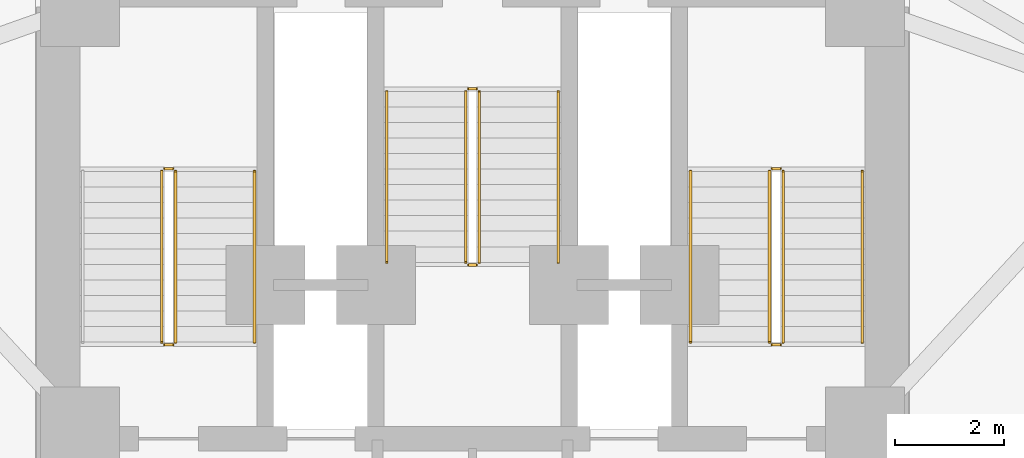
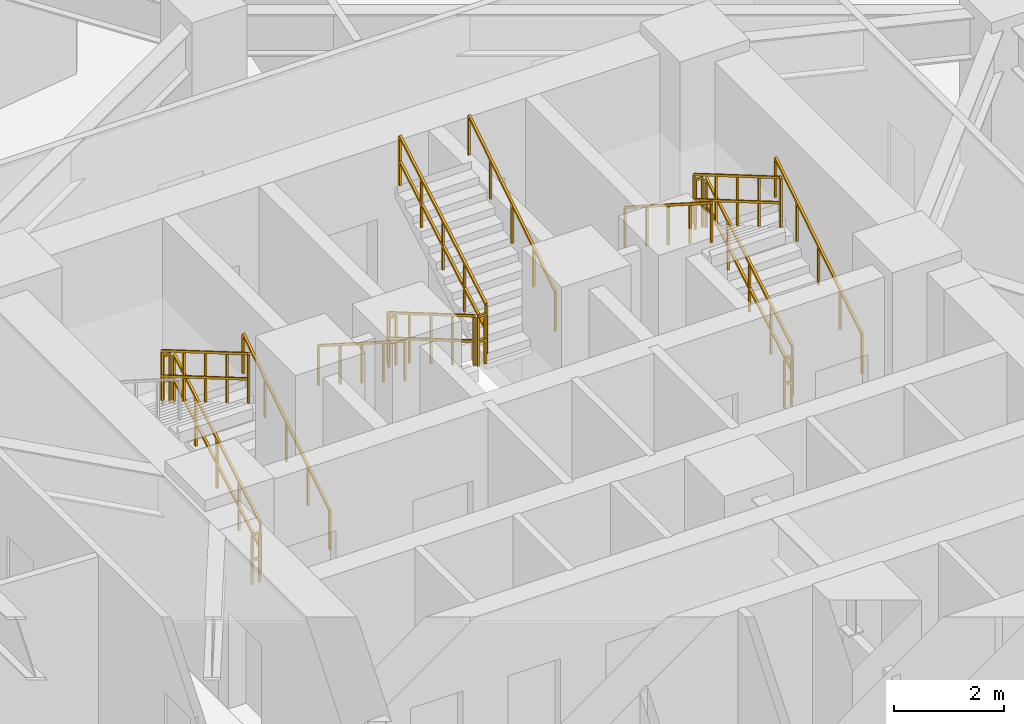
# One storey, part 12 of 13: 17 railings.
"""IFC4 building model written with IfcOpenShell, lengths in metres."""

import ifcopenshell
import ifcopenshell.guid

model = None  # the IFC model being written
_history = None  # IfcOwnerHistory: only IFC2X3 demands one
_inside = {}  # id of a spatial element -> (the spatial element, [elements in it])
_under = {}  # id of a project, library or spatial element -> (it, [spatial elements below it])
_declared = {}  # id of a project -> (the project, [libraries it declares])
_typed = {}  # id of a type object -> (the type object, [elements of that type])
_made_of = {}  # id of a material, layer set ... -> (it, [elements and type objects made of it])


def new_model(schema):
    """Start an empty IFC model of exactly this schema.

    Asked for "IFC4X3", IfcOpenShell would pick the latest addendum, in which some entities
    have other attributes; the version numbers below select the first issue.
    IFC2X3 requires an IfcOwnerHistory on every rooted entity: one is made here for all.
    """
    global model, _history
    if schema == "IFC4X3":
        model = ifcopenshell.file(schema_version=(4, 3, 0, 0))
    else:
        model = ifcopenshell.file(schema=schema)
    _inside.clear()
    _under.clear()
    _declared.clear()
    _typed.clear()
    _made_of.clear()
    _history = None
    if model.schema == "IFC2X3":
        org = make("IfcOrganization", Name="unknown")
        user = make(
            "IfcPersonAndOrganization",
            ThePerson=make("IfcPerson", FamilyName="unknown"),
            TheOrganization=org,
        )
        app = make(
            "IfcApplication",
            ApplicationDeveloper=org,
            Version="unknown",
            ApplicationFullName="unknown",
            ApplicationIdentifier="unknown",
        )
        _history = make(
            "IfcOwnerHistory",
            OwningUser=user,
            OwningApplication=app,
            ChangeAction="ADDED",
            CreationDate=0,
        )
    return model


def make(cls, **values):
    """One entity of the class cls with the attributes given. An attribute that is None is left unset."""
    return model.create_entity(
        cls, **{name: value for name, value in values.items() if value is not None}
    )


def rooted(cls, **values):
    """An entity with a GlobalId (a new one), such as an element, a storey or a relation."""
    return make(cls, GlobalId=ifcopenshell.guid.new(), OwnerHistory=_history, **values)


def si_unit(unit_type, name, prefix=None):
    """IfcSIUnit, for example si_unit("LENGTHUNIT", "METRE", prefix="MILLI")."""
    return make("IfcSIUnit", UnitType=unit_type, Prefix=prefix, Name=name)


def assignment(units):
    """IfcUnitAssignment: the units of a project."""
    return None if units is None else make("IfcUnitAssignment", Units=units)


def point(xyz):
    """IfcCartesianPoint."""
    return None if xyz is None else make("IfcCartesianPoint", Coordinates=xyz)


def direction(xyz):
    """IfcDirection."""
    return None if xyz is None else make("IfcDirection", DirectionRatios=xyz)


def frame(location, z_axis=None, x_axis=None):
    """IfcAxis2Placement3D, a coordinate frame: its origin and axes. An axis left out is left unset."""
    return make(
        "IfcAxis2Placement3D",
        Location=point(location),
        Axis=direction(z_axis),
        RefDirection=direction(x_axis),
    )


def frame_2d(location, x_axis=None):
    """IfcAxis2Placement2D, a coordinate frame in the plane: its origin and x axis."""
    return make(
        "IfcAxis2Placement2D", Location=point(location), RefDirection=direction(x_axis)
    )


def origin():
    """The frame at (0, 0, 0) with its axes left unset."""
    return frame((0.0, 0.0, 0.0))


def origin_2d():
    """The frame at (0, 0) in the plane with its x axis left unset."""
    return frame_2d((0.0, 0.0))


def place(relative_to, where):
    """IfcLocalPlacement: puts the frame where relative to a parent placement (None: the world)."""
    return make(
        "IfcLocalPlacement", PlacementRelTo=relative_to, RelativePlacement=where
    )


def context(
    kind, dimensions, precision=None, world=None, true_north=None, identifier=None
):
    """IfcGeometricRepresentationContext, for example the 3D "Model" context."""
    return make(
        "IfcGeometricRepresentationContext",
        ContextIdentifier=identifier,
        ContextType=kind,
        CoordinateSpaceDimension=dimensions,
        Precision=precision,
        WorldCoordinateSystem=world,
        TrueNorth=true_north,
    )


def subcontext(parent, identifier, kind, view, scale=None):
    """IfcGeometricRepresentationSubContext, for example "Body" below "Model"."""
    return make(
        "IfcGeometricRepresentationSubContext",
        ContextIdentifier=identifier,
        ContextType=kind,
        ParentContext=parent,
        TargetScale=scale,
        TargetView=view,
    )


def project(units=None, contexts=None):
    """IfcProject with its units and contexts."""
    return rooted(
        "IfcProject",
        Name="project",
        RepresentationContexts=contexts,
        UnitsInContext=assignment(units),
    )


def spatial(cls, under=None, at=None, **own):
    """A site, building, storey or space (cls), placed at a placement, below another one or the project."""
    s = rooted(cls, ObjectPlacement=at, **own)
    if under is not None:
        _under.setdefault(under.id(), (under, []))[1].append(s)
    return s


def profile(cls, at=None, kind="AREA", **sizes):
    """A parametric profile (cls). Its sizes go by their IFC names, for example OverallWidth=200.0."""
    return make(cls, ProfileType=kind, Position=at, **sizes)


def rectangle(**sizes):
    """IfcRectangleProfileDef."""
    return profile("IfcRectangleProfileDef", **sizes)


def extrude(swept, where, along, depth):
    """IfcExtrudedAreaSolid: the profile swept, set in the frame where, extruded along a direction by depth."""
    return make(
        "IfcExtrudedAreaSolid",
        SweptArea=swept,
        Position=where,
        ExtrudedDirection=direction(along),
        Depth=depth,
    )


def shape(context_of_items, identifier, shape_type, items):
    """IfcShapeRepresentation: the items that make up one representation, for example the "Body"."""
    return make(
        "IfcShapeRepresentation",
        ContextOfItems=context_of_items,
        RepresentationIdentifier=identifier,
        RepresentationType=shape_type,
        Items=items,
    )


def material(Name=None, Category=None):
    """IfcMaterial."""
    return make("IfcMaterial", Name=Name, Category=Category)


def made_of(thing, what):
    """Note that an element or type object is made of a material, layer set ...; save() writes the relation."""
    if what is not None:
        _made_of.setdefault(what.id(), (what, []))[1].append(thing)
    return thing


def type_object(cls, material=None, **own):
    """A type object (cls), such as IfcWallType, which elements share."""
    return made_of(rooted(cls, **own), material)


def element(
    cls,
    number,
    at=None,
    inside=None,
    cuts=None,
    type_object=None,
    material=None,
    context=None,
    identifier="Body",
    shape_type=None,
    held_by="IfcProductDefinitionShape",
    body=None,
    shapes=None,
    **own,
):
    """One element of the class cls, such as IfcWall. Its Tag is "e" and its number.

    at: its placement. inside: the storey or other place that contains it. cuts: it is an
    opening in that element (IfcRelVoidsElement). A single representation is given by context,
    identifier, shape_type and body (its items); several are given by shapes. held_by: the class
    of the entity that holds the representations. save() writes the other relations.
    """
    e = rooted(cls, Tag="e%d" % number, ObjectPlacement=at, **own)
    if body is not None:
        shapes = [shape(context, identifier, shape_type, body)]
    if shapes is not None:
        e.Representation = make(held_by, Representations=shapes)
    if inside is not None:
        _inside.setdefault(inside.id(), (inside, []))[1].append(e)
    if cuts is not None:
        rooted(
            "IfcRelVoidsElement", RelatingBuildingElement=cuts, RelatedOpeningElement=e
        )
    if type_object is not None:
        _typed.setdefault(type_object.id(), (type_object, []))[1].append(e)
    return made_of(e, material)


def aggregate(whole, parts):
    """IfcRelAggregates: a whole, such as a stair, and the parts it consists of."""
    return rooted("IfcRelAggregates", RelatingObject=whole, RelatedObjects=parts)


def save(model, path):
    """Write the relations noted so far, then the file.

    IfcRelAggregates (storeys below a building ...), IfcRelContainedInSpatialStructure (elements
    in a storey), IfcRelDefinesByType, IfcRelAssociatesMaterial and IfcRelDeclares: one each for
    every whole, place, type object, material and project.
    """
    for whole, parts in _under.values():
        aggregate(whole, parts)
    for where, things in _inside.values():
        rooted(
            "IfcRelContainedInSpatialStructure",
            RelatedElements=things,
            RelatingStructure=where,
        )
    for kind, things in _typed.values():
        rooted("IfcRelDefinesByType", RelatedObjects=things, RelatingType=kind)
    for what, things in _made_of.values():
        rooted("IfcRelAssociatesMaterial", RelatedObjects=things, RelatingMaterial=what)
    for by, libraries in _declared.values():
        rooted("IfcRelDeclares", RelatingContext=by, RelatedDefinitions=libraries)
    model.write(path)


model = new_model("IFC4")

# Units and contexts
model_context = context("Model", 3, precision=1e-05, world=origin(), true_north=direction((0.0, 1.0)))
body_context = subcontext(model_context, "Body", "Model", "MODEL_VIEW")
ifc_project = project(units=[si_unit("LENGTHUNIT", "METRE"), si_unit("AREAUNIT", "SQUARE_METRE"), si_unit("VOLUMEUNIT", "CUBIC_METRE"), si_unit("PLANEANGLEUNIT", "RADIAN"), si_unit("MASSUNIT", "GRAM", prefix="KILO")], contexts=[model_context])

# Site, building, storey
site_placement = place(None, origin())
site = spatial("IfcSite", under=ifc_project, at=site_placement, CompositionType="ELEMENT")
building_placement = place(site_placement, origin())
building = spatial("IfcBuilding", under=site, at=building_placement, Name="Apsidion Concourse Tower", CompositionType="ELEMENT")
storey_placement = place(building_placement, frame((0.0, 0.0, 95.0)))
storey = spatial("IfcBuildingStorey", under=building, at=storey_placement, Name="L21", CompositionType="ELEMENT", Elevation=95.0)

# Railings
ifc_material = material(Name="Brushed stainless steel 316", Category="steel")
railing_type_1 = type_object("IfcRailingType", Name="RL-GUARD-1100", PredefinedType="GUARDRAIL", material=ifc_material)
railing_1_placement = place(storey_placement, frame((-5.449951171875, 3.0, 0.166748046875)))
element("IfcRailing", 1, at=railing_1_placement, inside=storey, type_object=railing_type_1, Name="L21 ST1 stair guard 1", PredefinedType="GUARDRAIL", context=body_context, shape_type="SweptSolid", body=[
    extrude(rectangle(XDim=0.048095703125, YDim=0.048095703125, at=origin_2d()), frame((0.0, 0.0, 1.09619140625), z_axis=(0.0, 0.863239559939, 0.504794475164), x_axis=(-1.0, 0.0, 0.0)), (0.0, 0.0, 1.0), 3.631591796875),
    extrude(rectangle(XDim=0.048095703125, YDim=0.048095703125, at=origin_2d()), frame((0.0, 0.0, 0.5361328125), z_axis=(0.0, 0.863239559939, 0.504794475164), x_axis=(-1.0, 0.0, 0.0)), (0.0, 0.0, 1.0), 3.631591796875),
    extrude(rectangle(XDim=0.0419921875, YDim=0.0419921875, at=origin_2d()), origin(), (0.0, 0.0, 1.0), 1.072021484375),
    extrude(rectangle(XDim=0.0419921875, YDim=0.0419921875, at=origin_2d()), frame((0.0, 0.78369140625, 0.458251953125)), (0.0, 0.0, 1.0), 1.072021484375),
    extrude(rectangle(XDim=0.0419921875, YDim=0.0419921875, at=origin_2d()), frame((0.0, 1.5673828125, 0.91650390625)), (0.0, 0.0, 1.0), 1.072021484375),
    extrude(rectangle(XDim=0.0419921875, YDim=0.0419921875, at=origin_2d()), frame((0.0, 2.351318359375, 1.375)), (0.0, 0.0, 1.0), 1.072021484375),
    extrude(rectangle(XDim=0.0419921875, YDim=0.0419921875, at=origin_2d()), frame((0.0, 3.135009765625, 1.833251953125)), (0.0, 0.0, 1.0), 1.072021484375),
])
railing_2_placement = place(storey_placement, frame((-5.5, 6.18505859375, 2.0)))
element("IfcRailing", 2, at=railing_2_placement, inside=storey, type_object=railing_type_1, Name="L21 ST1 stair guard 2", PredefinedType="GUARDRAIL", context=body_context, shape_type="SweptSolid", body=[
    extrude(rectangle(XDim=0.048095703125, YDim=0.048095703125, at=origin_2d()), frame((0.0, 0.0, 1.09619140625), z_axis=(-1.0, 0.0, 0.0), x_axis=(0.0, -1.0, 0.0)), (0.0, 0.0, 1.0), 0.14990234375),
    extrude(rectangle(XDim=0.048095703125, YDim=0.048095703125, at=origin_2d()), frame((0.0, 0.0, 0.5361328125), z_axis=(-1.0, 0.0, 0.0), x_axis=(0.0, -1.0, 0.0)), (0.0, 0.0, 1.0), 0.14990234375),
    extrude(rectangle(XDim=0.0419921875, YDim=0.0419921875, at=origin_2d()), origin(), (0.0, 0.0, 1.0), 1.072021484375),
    extrude(rectangle(XDim=0.0419921875, YDim=0.0419921875, at=origin_2d()), frame((-0.14990234375, 0.0, 0.0)), (0.0, 0.0, 1.0), 1.072021484375),
])
railing_3_placement = place(storey_placement, frame((-5.699951171875, 6.135009765625, 2.166748046875)))
element("IfcRailing", 3, at=railing_3_placement, inside=storey, type_object=railing_type_1, Name="L21 ST1 stair guard 3", PredefinedType="GUARDRAIL", context=body_context, shape_type="SweptSolid", body=[
    extrude(rectangle(XDim=0.048095703125, YDim=0.048095703125, at=origin_2d()), frame((0.0, 0.0, 1.09619140625), z_axis=(0.0, -0.863239559939, 0.504794475164), x_axis=(1.0, 0.0, 0.0)), (0.0, 0.0, 1.0), 3.631591796875),
    extrude(rectangle(XDim=0.048095703125, YDim=0.048095703125, at=origin_2d()), frame((0.0, 0.0, 0.5361328125), z_axis=(0.0, -0.863239559939, 0.504794475164), x_axis=(1.0, 0.0, 0.0)), (0.0, 0.0, 1.0), 3.631591796875),
    extrude(rectangle(XDim=0.0419921875, YDim=0.0419921875, at=origin_2d()), origin(), (0.0, 0.0, 1.0), 1.072021484375),
    extrude(rectangle(XDim=0.0419921875, YDim=0.0419921875, at=origin_2d()), frame((0.0, -0.78369140625, 0.458251953125)), (0.0, 0.0, 1.0), 1.072021484375),
    extrude(rectangle(XDim=0.0419921875, YDim=0.0419921875, at=origin_2d()), frame((0.0, -1.5673828125, 0.91650390625)), (0.0, 0.0, 1.0), 1.072021484375),
    extrude(rectangle(XDim=0.0419921875, YDim=0.0419921875, at=origin_2d()), frame((0.0, -2.351318359375, 1.375)), (0.0, 0.0, 1.0), 1.072021484375),
    extrude(rectangle(XDim=0.0419921875, YDim=0.0419921875, at=origin_2d()), frame((0.0, -3.135009765625, 1.833251953125)), (0.0, 0.0, 1.0), 1.072021484375),
])
railing_4_placement = place(storey_placement, frame((-5.5, 2.949951171875, 0.0)))
element("IfcRailing", 4, at=railing_4_placement, inside=storey, type_object=railing_type_1, Name="L21 ST1 stair guard 4", PredefinedType="GUARDRAIL", context=body_context, shape_type="SweptSolid", body=[
    extrude(rectangle(XDim=0.048095703125, YDim=0.048095703125, at=origin_2d()), frame((0.0, 0.0, 1.09619140625), z_axis=(-1.0, 0.0, 0.0), x_axis=(0.0, -1.0, 0.0)), (0.0, 0.0, 1.0), 0.14990234375),
    extrude(rectangle(XDim=0.048095703125, YDim=0.048095703125, at=origin_2d()), frame((0.0, 0.0, 0.5361328125), z_axis=(-1.0, 0.0, 0.0), x_axis=(0.0, -1.0, 0.0)), (0.0, 0.0, 1.0), 0.14990234375),
    extrude(rectangle(XDim=0.0419921875, YDim=0.0419921875, at=origin_2d()), origin(), (0.0, 0.0, 1.0), 1.072021484375),
    extrude(rectangle(XDim=0.0419921875, YDim=0.0419921875, at=origin_2d()), frame((-0.14990234375, 0.0, 0.0)), (0.0, 0.0, 1.0), 1.072021484375),
])
railing_5_placement = place(storey_placement, frame((5.699951171875, 3.0, 0.166748046875)))
element("IfcRailing", 5, at=railing_5_placement, inside=storey, type_object=railing_type_1, Name="L21 ST2 stair guard 1", PredefinedType="GUARDRAIL", context=body_context, shape_type="SweptSolid", body=[
    extrude(rectangle(XDim=0.048095703125, YDim=0.048095703125, at=origin_2d()), frame((0.0, 0.0, 1.09619140625), z_axis=(0.0, 0.863239559939, 0.504794475164), x_axis=(-1.0, 0.0, 0.0)), (0.0, 0.0, 1.0), 3.631591796875),
    extrude(rectangle(XDim=0.048095703125, YDim=0.048095703125, at=origin_2d()), frame((0.0, 0.0, 0.5361328125), z_axis=(0.0, 0.863239559939, 0.504794475164), x_axis=(-1.0, 0.0, 0.0)), (0.0, 0.0, 1.0), 3.631591796875),
    extrude(rectangle(XDim=0.0419921875, YDim=0.0419921875, at=origin_2d()), origin(), (0.0, 0.0, 1.0), 1.072021484375),
    extrude(rectangle(XDim=0.0419921875, YDim=0.0419921875, at=origin_2d()), frame((0.0, 0.78369140625, 0.458251953125)), (0.0, 0.0, 1.0), 1.072021484375),
    extrude(rectangle(XDim=0.0419921875, YDim=0.0419921875, at=origin_2d()), frame((0.0, 1.5673828125, 0.91650390625)), (0.0, 0.0, 1.0), 1.072021484375),
    extrude(rectangle(XDim=0.0419921875, YDim=0.0419921875, at=origin_2d()), frame((0.0, 2.351318359375, 1.375)), (0.0, 0.0, 1.0), 1.072021484375),
    extrude(rectangle(XDim=0.0419921875, YDim=0.0419921875, at=origin_2d()), frame((0.0, 3.135009765625, 1.833251953125)), (0.0, 0.0, 1.0), 1.072021484375),
])
railing_6_placement = place(storey_placement, frame((5.64990234375, 6.18505859375, 2.0)))
element("IfcRailing", 6, at=railing_6_placement, inside=storey, type_object=railing_type_1, Name="L21 ST2 stair guard 2", PredefinedType="GUARDRAIL", context=body_context, shape_type="SweptSolid", body=[
    extrude(rectangle(XDim=0.048095703125, YDim=0.048095703125, at=origin_2d()), frame((0.0, 0.0, 1.09619140625), z_axis=(-1.0, 0.0, 0.0), x_axis=(0.0, -1.0, 0.0)), (0.0, 0.0, 1.0), 0.14990234375),
    extrude(rectangle(XDim=0.048095703125, YDim=0.048095703125, at=origin_2d()), frame((0.0, 0.0, 0.5361328125), z_axis=(-1.0, 0.0, 0.0), x_axis=(0.0, -1.0, 0.0)), (0.0, 0.0, 1.0), 0.14990234375),
    extrude(rectangle(XDim=0.0419921875, YDim=0.0419921875, at=origin_2d()), origin(), (0.0, 0.0, 1.0), 1.072021484375),
    extrude(rectangle(XDim=0.0419921875, YDim=0.0419921875, at=origin_2d()), frame((-0.14990234375, 0.0, 0.0)), (0.0, 0.0, 1.0), 1.072021484375),
])
railing_7_placement = place(storey_placement, frame((5.449951171875, 6.135009765625, 2.166748046875)))
element("IfcRailing", 7, at=railing_7_placement, inside=storey, type_object=railing_type_1, Name="L21 ST2 stair guard 3", PredefinedType="GUARDRAIL", context=body_context, shape_type="SweptSolid", body=[
    extrude(rectangle(XDim=0.048095703125, YDim=0.048095703125, at=origin_2d()), frame((0.0, 0.0, 1.09619140625), z_axis=(0.0, -0.863239559939, 0.504794475164), x_axis=(1.0, 0.0, 0.0)), (0.0, 0.0, 1.0), 3.631591796875),
    extrude(rectangle(XDim=0.048095703125, YDim=0.048095703125, at=origin_2d()), frame((0.0, 0.0, 0.5361328125), z_axis=(0.0, -0.863239559939, 0.504794475164), x_axis=(1.0, 0.0, 0.0)), (0.0, 0.0, 1.0), 3.631591796875),
    extrude(rectangle(XDim=0.0419921875, YDim=0.0419921875, at=origin_2d()), origin(), (0.0, 0.0, 1.0), 1.072021484375),
    extrude(rectangle(XDim=0.0419921875, YDim=0.0419921875, at=origin_2d()), frame((0.0, -0.78369140625, 0.458251953125)), (0.0, 0.0, 1.0), 1.072021484375),
    extrude(rectangle(XDim=0.0419921875, YDim=0.0419921875, at=origin_2d()), frame((0.0, -1.5673828125, 0.91650390625)), (0.0, 0.0, 1.0), 1.072021484375),
    extrude(rectangle(XDim=0.0419921875, YDim=0.0419921875, at=origin_2d()), frame((0.0, -2.351318359375, 1.375)), (0.0, 0.0, 1.0), 1.072021484375),
    extrude(rectangle(XDim=0.0419921875, YDim=0.0419921875, at=origin_2d()), frame((0.0, -3.135009765625, 1.833251953125)), (0.0, 0.0, 1.0), 1.072021484375),
])
railing_8_placement = place(storey_placement, frame((5.64990234375, 2.949951171875, 0.0)))
element("IfcRailing", 8, at=railing_8_placement, inside=storey, type_object=railing_type_1, Name="L21 ST2 stair guard 4", PredefinedType="GUARDRAIL", context=body_context, shape_type="SweptSolid", body=[
    extrude(rectangle(XDim=0.048095703125, YDim=0.048095703125, at=origin_2d()), frame((0.0, 0.0, 1.09619140625), z_axis=(-1.0, 0.0, 0.0), x_axis=(0.0, -1.0, 0.0)), (0.0, 0.0, 1.0), 0.14990234375),
    extrude(rectangle(XDim=0.048095703125, YDim=0.048095703125, at=origin_2d()), frame((0.0, 0.0, 0.5361328125), z_axis=(-1.0, 0.0, 0.0), x_axis=(0.0, -1.0, 0.0)), (0.0, 0.0, 1.0), 0.14990234375),
    extrude(rectangle(XDim=0.0419921875, YDim=0.0419921875, at=origin_2d()), origin(), (0.0, 0.0, 1.0), 1.072021484375),
    extrude(rectangle(XDim=0.0419921875, YDim=0.0419921875, at=origin_2d()), frame((-0.14990234375, 0.0, 0.0)), (0.0, 0.0, 1.0), 1.072021484375),
])
railing_9_placement = place(storey_placement, frame((-0.125, 7.60009765625, 0.166748046875)))
element("IfcRailing", 9, at=railing_9_placement, inside=storey, type_object=railing_type_1, Name="L21 ST3 stair guard 1", PredefinedType="GUARDRAIL", context=body_context, shape_type="SweptSolid", body=[
    extrude(rectangle(XDim=0.048095703125, YDim=0.048095703125, at=origin_2d()), frame((0.0, 0.0, 1.09619140625), z_axis=(0.0, -0.863239559939, 0.504794475164), x_axis=(1.0, 0.0, 0.0)), (0.0, 0.0, 1.0), 3.631591796875),
    extrude(rectangle(XDim=0.048095703125, YDim=0.048095703125, at=origin_2d()), frame((0.0, 0.0, 0.5361328125), z_axis=(0.0, -0.863239559939, 0.504794475164), x_axis=(1.0, 0.0, 0.0)), (0.0, 0.0, 1.0), 3.631591796875),
    extrude(rectangle(XDim=0.0419921875, YDim=0.0419921875, at=origin_2d()), origin(), (0.0, 0.0, 1.0), 1.072021484375),
    extrude(rectangle(XDim=0.0419921875, YDim=0.0419921875, at=origin_2d()), frame((0.0, -0.78369140625, 0.458251953125)), (0.0, 0.0, 1.0), 1.072021484375),
    extrude(rectangle(XDim=0.0419921875, YDim=0.0419921875, at=origin_2d()), frame((0.0, -1.5673828125, 0.91650390625)), (0.0, 0.0, 1.0), 1.072021484375),
    extrude(rectangle(XDim=0.0419921875, YDim=0.0419921875, at=origin_2d()), frame((0.0, -2.351318359375, 1.375)), (0.0, 0.0, 1.0), 1.072021484375),
    extrude(rectangle(XDim=0.0419921875, YDim=0.0419921875, at=origin_2d()), frame((0.0, -3.135009765625, 1.833251953125)), (0.0, 0.0, 1.0), 1.072021484375),
])
railing_10_placement = place(storey_placement, frame((-0.074951171875, 4.4150390625, 2.0)))
element("IfcRailing", 10, at=railing_10_placement, inside=storey, type_object=railing_type_1, Name="L21 ST3 stair guard 2", PredefinedType="GUARDRAIL", context=body_context, shape_type="SweptSolid", body=[
    extrude(rectangle(XDim=0.048095703125, YDim=0.048095703125, at=origin_2d()), frame((0.0, 0.0, 1.09619140625), z_axis=(1.0, 0.0, 0.0), x_axis=(0.0, 1.0, 0.0)), (0.0, 0.0, 1.0), 0.14990234375),
    extrude(rectangle(XDim=0.048095703125, YDim=0.048095703125, at=origin_2d()), frame((0.0, 0.0, 0.5361328125), z_axis=(1.0, 0.0, 0.0), x_axis=(0.0, 1.0, 0.0)), (0.0, 0.0, 1.0), 0.14990234375),
    extrude(rectangle(XDim=0.0419921875, YDim=0.0419921875, at=origin_2d()), origin(), (0.0, 0.0, 1.0), 1.072021484375),
    extrude(rectangle(XDim=0.0419921875, YDim=0.0419921875, at=origin_2d()), frame((0.14990234375, 0.0, 0.0)), (0.0, 0.0, 1.0), 1.072021484375),
])
railing_11_placement = place(storey_placement, frame((0.125, 4.465087890625, 2.166748046875)))
element("IfcRailing", 11, at=railing_11_placement, inside=storey, type_object=railing_type_1, Name="L21 ST3 stair guard 3", PredefinedType="GUARDRAIL", context=body_context, shape_type="SweptSolid", body=[
    extrude(rectangle(XDim=0.048095703125, YDim=0.048095703125, at=origin_2d()), frame((0.0, 0.0, 1.09619140625), z_axis=(0.0, 0.863239559939, 0.504794475164), x_axis=(-1.0, 0.0, 0.0)), (0.0, 0.0, 1.0), 3.631591796875),
    extrude(rectangle(XDim=0.048095703125, YDim=0.048095703125, at=origin_2d()), frame((0.0, 0.0, 0.5361328125), z_axis=(0.0, 0.863239559939, 0.504794475164), x_axis=(-1.0, 0.0, 0.0)), (0.0, 0.0, 1.0), 3.631591796875),
    extrude(rectangle(XDim=0.0419921875, YDim=0.0419921875, at=origin_2d()), origin(), (0.0, 0.0, 1.0), 1.072021484375),
    extrude(rectangle(XDim=0.0419921875, YDim=0.0419921875, at=origin_2d()), frame((0.0, 0.78369140625, 0.458251953125)), (0.0, 0.0, 1.0), 1.072021484375),
    extrude(rectangle(XDim=0.0419921875, YDim=0.0419921875, at=origin_2d()), frame((0.0, 1.5673828125, 0.91650390625)), (0.0, 0.0, 1.0), 1.072021484375),
    extrude(rectangle(XDim=0.0419921875, YDim=0.0419921875, at=origin_2d()), frame((0.0, 2.351318359375, 1.375)), (0.0, 0.0, 1.0), 1.072021484375),
    extrude(rectangle(XDim=0.0419921875, YDim=0.0419921875, at=origin_2d()), frame((0.0, 3.135009765625, 1.833251953125)), (0.0, 0.0, 1.0), 1.072021484375),
])
railing_12_placement = place(storey_placement, frame((-0.074951171875, 7.64990234375, 0.0)))
element("IfcRailing", 12, at=railing_12_placement, inside=storey, type_object=railing_type_1, Name="L21 ST3 stair guard 4", PredefinedType="GUARDRAIL", context=body_context, shape_type="SweptSolid", body=[
    extrude(rectangle(XDim=0.048095703125, YDim=0.048095703125, at=origin_2d()), frame((0.0, 0.0, 1.09619140625), z_axis=(1.0, 0.0, 0.0), x_axis=(0.0, 1.0, 0.0)), (0.0, 0.0, 1.0), 0.14990234375),
    extrude(rectangle(XDim=0.048095703125, YDim=0.048095703125, at=origin_2d()), frame((0.0, 0.0, 0.5361328125), z_axis=(1.0, 0.0, 0.0), x_axis=(0.0, 1.0, 0.0)), (0.0, 0.0, 1.0), 0.14990234375),
    extrude(rectangle(XDim=0.0419921875, YDim=0.0419921875, at=origin_2d()), origin(), (0.0, 0.0, 1.0), 1.072021484375),
    extrude(rectangle(XDim=0.0419921875, YDim=0.0419921875, at=origin_2d()), frame((0.14990234375, 0.0, 0.0)), (0.0, 0.0, 1.0), 1.072021484375),
])
railing_type_2 = type_object("IfcRailingType", Name="RL-HAND-900", PredefinedType="HANDRAIL", material=ifc_material)
for number, where, name in (
    (13, (-4.0, 3.0, 0.166748046875), "L21 ST1 stair handrail 1"),
    (14, (7.14990234375, 3.0, 0.166748046875), "L21 ST2 stair handrail 1"),
):
    element("IfcRailing", number, at=place(storey_placement, frame(where)), inside=storey, type_object=railing_type_2, Name=name, PredefinedType="HANDRAIL", context=body_context, shape_type="SweptSolid", body=[
        extrude(rectangle(XDim=0.048095703125, YDim=0.048095703125, at=origin_2d()), frame((0.0, 0.0, 0.8759765625), z_axis=(0.0, 0.843052688722, 0.537830980921), x_axis=(-1.0, 0.0, 0.0)), (0.0, 0.0, 1.0), 3.71875),
        extrude(rectangle(XDim=0.0419921875, YDim=0.0419921875, at=origin_2d()), origin(), (0.0, 0.0, 1.0), 0.851806640625),
        extrude(rectangle(XDim=0.0419921875, YDim=0.0419921875, at=origin_2d()), frame((0.0, 0.78369140625, 0.5)), (0.0, 0.0, 1.0), 0.851806640625),
        extrude(rectangle(XDim=0.0419921875, YDim=0.0419921875, at=origin_2d()), frame((0.0, 1.5673828125, 1.0)), (0.0, 0.0, 1.0), 0.851806640625),
        extrude(rectangle(XDim=0.0419921875, YDim=0.0419921875, at=origin_2d()), frame((0.0, 2.351318359375, 1.5)), (0.0, 0.0, 1.0), 0.851806640625),
        extrude(rectangle(XDim=0.0419921875, YDim=0.0419921875, at=origin_2d()), frame((0.0, 3.135009765625, 2.0)), (0.0, 0.0, 1.0), 0.851806640625),
    ])
for number, where, name in (
    (15, (4.0, 6.135009765625, 2.166748046875), "L21 ST2 stair handrail 2"),
    (16, (-1.574951171875, 7.60009765625, 0.166748046875), "L21 ST3 stair handrail 1"),
):
    element("IfcRailing", number, at=place(storey_placement, frame(where)), inside=storey, type_object=railing_type_2, Name=name, PredefinedType="HANDRAIL", context=body_context, shape_type="SweptSolid", body=[
        extrude(rectangle(XDim=0.048095703125, YDim=0.048095703125, at=origin_2d()), frame((0.0, 0.0, 0.8759765625), z_axis=(0.0, -0.843052688722, 0.537830980921), x_axis=(1.0, 0.0, 0.0)), (0.0, 0.0, 1.0), 3.71875),
        extrude(rectangle(XDim=0.0419921875, YDim=0.0419921875, at=origin_2d()), origin(), (0.0, 0.0, 1.0), 0.851806640625),
        extrude(rectangle(XDim=0.0419921875, YDim=0.0419921875, at=origin_2d()), frame((0.0, -0.78369140625, 0.5)), (0.0, 0.0, 1.0), 0.851806640625),
        extrude(rectangle(XDim=0.0419921875, YDim=0.0419921875, at=origin_2d()), frame((0.0, -1.5673828125, 1.0)), (0.0, 0.0, 1.0), 0.851806640625),
        extrude(rectangle(XDim=0.0419921875, YDim=0.0419921875, at=origin_2d()), frame((0.0, -2.351318359375, 1.5)), (0.0, 0.0, 1.0), 0.851806640625),
        extrude(rectangle(XDim=0.0419921875, YDim=0.0419921875, at=origin_2d()), frame((0.0, -3.135009765625, 2.0)), (0.0, 0.0, 1.0), 0.851806640625),
    ])
railing_13_placement = place(storey_placement, frame((1.574951171875, 4.465087890625, 2.166748046875)))
element("IfcRailing", 17, at=railing_13_placement, inside=storey, type_object=railing_type_2, Name="L21 ST3 stair handrail 2", PredefinedType="HANDRAIL", context=body_context, shape_type="SweptSolid", body=[
    extrude(rectangle(XDim=0.048095703125, YDim=0.048095703125, at=origin_2d()), frame((0.0, 0.0, 0.8759765625), z_axis=(0.0, 0.843052688722, 0.537830980921), x_axis=(-1.0, 0.0, 0.0)), (0.0, 0.0, 1.0), 3.71875),
    extrude(rectangle(XDim=0.0419921875, YDim=0.0419921875, at=origin_2d()), origin(), (0.0, 0.0, 1.0), 0.851806640625),
    extrude(rectangle(XDim=0.0419921875, YDim=0.0419921875, at=origin_2d()), frame((0.0, 0.78369140625, 0.5)), (0.0, 0.0, 1.0), 0.851806640625),
    extrude(rectangle(XDim=0.0419921875, YDim=0.0419921875, at=origin_2d()), frame((0.0, 1.5673828125, 1.0)), (0.0, 0.0, 1.0), 0.851806640625),
    extrude(rectangle(XDim=0.0419921875, YDim=0.0419921875, at=origin_2d()), frame((0.0, 2.351318359375, 1.5)), (0.0, 0.0, 1.0), 0.851806640625),
    extrude(rectangle(XDim=0.0419921875, YDim=0.0419921875, at=origin_2d()), frame((0.0, 3.135009765625, 2.0)), (0.0, 0.0, 1.0), 0.851806640625),
])

save(model, "model.ifc")
